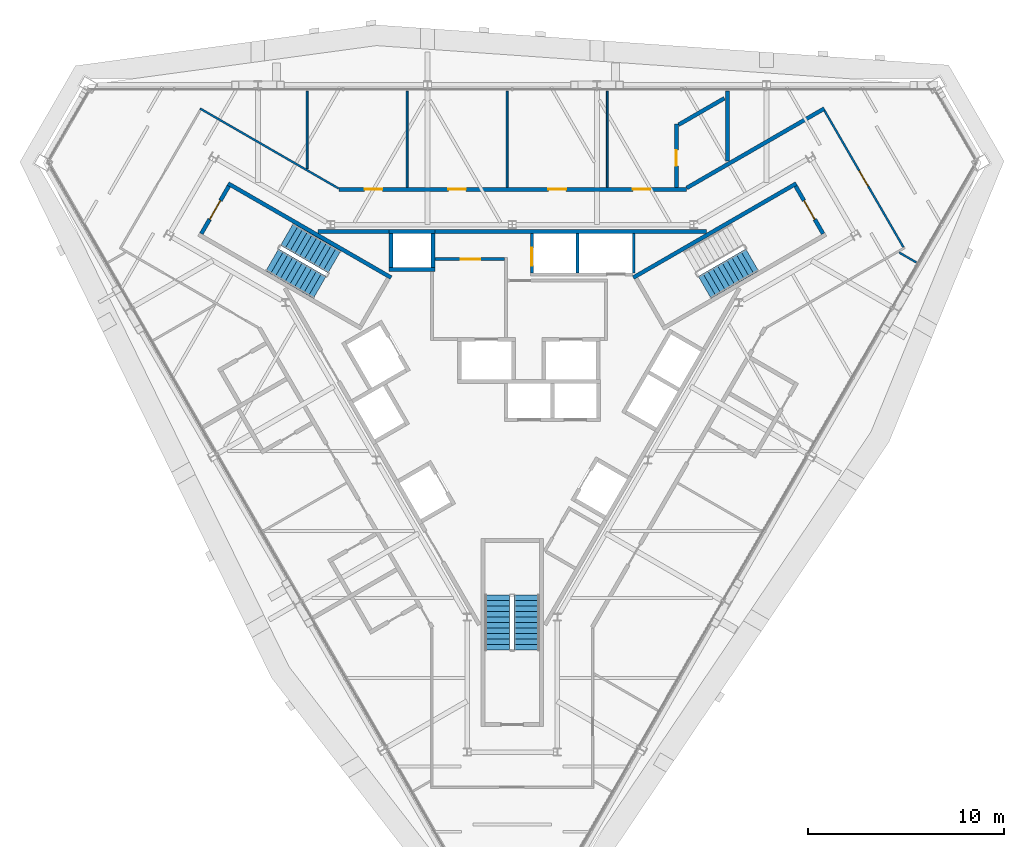
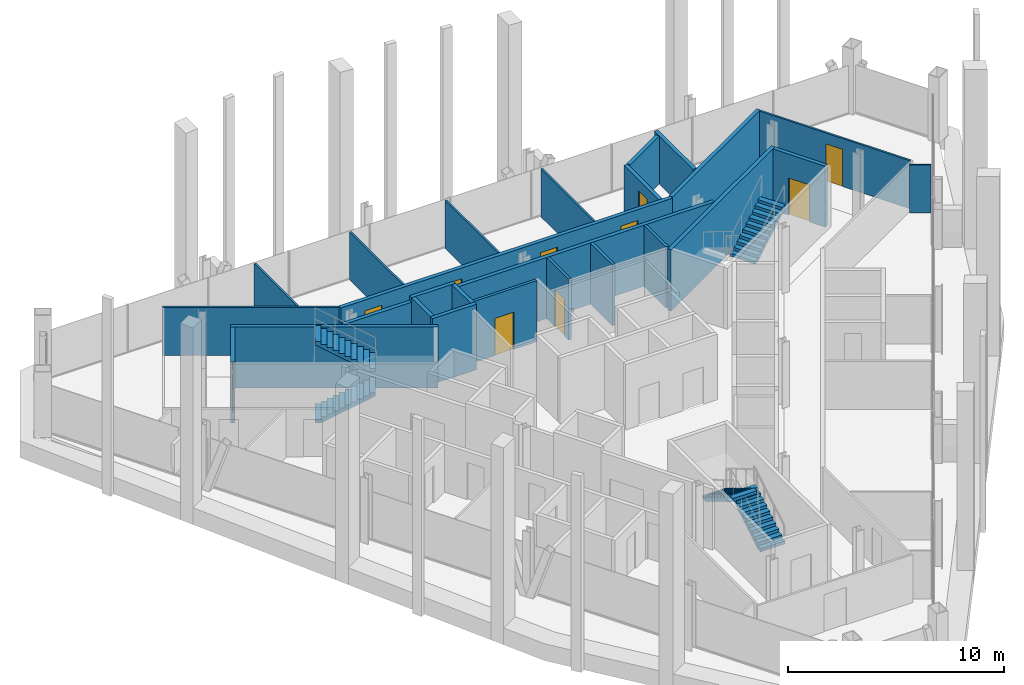
# One storey, part 11 of 14: 26 walls, 10 doors, 5 stair flights, 10 openings, 3 elements without a shape of their own.
"""IFC4 building model written with IfcOpenShell, lengths in metres."""

from ifc_helpers import new_model, si_unit, direction, frame, frame_2d, origin, place, context, subcontext, project, spatial, polyline, rectangle, outline, extrude, material, layer, layer_set, type_object, element, fill, aggregate, save


model = new_model("IFC4")

# Units and contexts
model_context = context("Model", 3, precision=1e-05, world=origin(), true_north=direction((0.0, 1.0)))
body_context = subcontext(model_context, "Body", "Model", "MODEL_VIEW")
ifc_project = project(units=[si_unit("LENGTHUNIT", "METRE"), si_unit("AREAUNIT", "SQUARE_METRE"), si_unit("VOLUMEUNIT", "CUBIC_METRE"), si_unit("PLANEANGLEUNIT", "RADIAN"), si_unit("MASSUNIT", "GRAM", prefix="KILO")], contexts=[model_context])

# Site, building, storey
site_placement = place(None, origin())
site = spatial("IfcSite", under=ifc_project, at=site_placement, CompositionType="ELEMENT")
building_placement = place(site_placement, origin())
building = spatial("IfcBuilding", under=site, at=building_placement, Name="Verrane Prism Tower", CompositionType="ELEMENT")
storey_placement = place(building_placement, frame((0.0, 0.0, 206.39990234375)))
storey = spatial("IfcBuildingStorey", under=building, at=storey_placement, Name="L51", CompositionType="ELEMENT", Elevation=206.39990234375)

# Walls
ifc_material_1 = material(Name="Gypsum board partition", Category="other")
ifc_layer_1 = layer(ifc_material_1, 0.199951171875)
ifc_layer_set_1 = layer_set([ifc_layer_1], Name="CW-200 core boundary wall 2 h")
wall_type_1 = type_object("IfcWallType", Name="CW-200 core boundary wall 2 h", PredefinedType="PARTITIONING", material=ifc_layer_set_1)
wall_1_placement = place(storey_placement, frame((-9.907958984375, 7.659912109375, 0.0), z_axis=(0.0, 0.0, 1.0), x_axis=(1.0, 0.0, 0.0)))
element("IfcWall", 1, at=wall_1_placement, inside=storey, type_object=wall_type_1, Name="Core boundary wall CW3-002", PredefinedType="PARTITIONING", context=body_context, shape_type="SweptSolid", body=[
    extrude(rectangle(XDim=3.620849609375, YDim=0.199951171875, at=frame_2d((1.810546875, 0.0))), origin(), (0.0, 0.0, 1.0), 3.4501953125),
])
wall_2_placement = place(storey_placement, frame((-3.93310546875, 7.659912109375, 0.0), z_axis=(0.0, 0.0, 1.0), x_axis=(1.0, 0.0, 0.0)))
element("IfcWall", 2, at=wall_2_placement, inside=storey, type_object=wall_type_1, Name="Core boundary wall CW3-005", PredefinedType="PARTITIONING", context=body_context, shape_type="SweptSolid", body=[
    extrude(rectangle(XDim=13.841064453125, YDim=0.199951171875, at=frame_2d((6.92041015625, 0.0))), origin(), (0.0, 0.0, 1.0), 3.4501953125),
])

# Wall, opening, door
ifc_material_2 = material(Name="Concrete C40/50", Category="concrete")
ifc_layer_2 = layer(ifc_material_2, 0.199951171875)
ifc_layer_set_2 = layer_set([ifc_layer_2], Name="CW-200 stair core wall concrete C40/50 3 h")
wall_type_2 = type_object("IfcWallType", Name="CW-200 stair core wall concrete C40/50 3 h", PredefinedType="PARTITIONING", material=ifc_layer_set_2)
wall_3_placement = place(storey_placement, frame((15.85546875, 7.53759765625, 0.0), z_axis=(0.0, 0.0, 1.0), x_axis=(-0.500049511043, 0.865996816683, 0.0)))
wall_3 = element("IfcWall", 3, at=wall_3_placement, inside=storey, type_object=wall_type_2, Name="Stair 1 enclosure wall", PredefinedType="PARTITIONING", context=body_context, shape_type="SweptSolid", body=[
    extrude(rectangle(XDim=2.800048828125, YDim=0.199951171875, at=frame_2d((1.39990234375, 0.0))), origin(), (0.0, 0.0, 1.0), 3.4501953125),
])
opening_1_placement = place(wall_3_placement, frame((0.849853515625, 0.0, 0.0)))
opening_1 = element("IfcOpeningElement", 4, at=opening_1_placement, cuts=wall_3, Name="Opening D51500", PredefinedType="OPENING", context=body_context, shape_type="SweptSolid", body=[
    extrude(rectangle(XDim=1.10009765625, YDim=2.10009765625, at=frame_2d((0.550048828125, 1.050048828125))), frame((0.0, 0.10986328125, 0.0), z_axis=(0.0, -1.0, 0.0), x_axis=(1.0, 0.0, 0.0)), (0.0, 0.0, 1.0), 0.219970703125),
])
ifc_material_3 = material(Name="Timber veneered door leaf", Category="wood")
door_type_1 = type_object("IfcDoorType", Name="DR-1100x2100 FD90 single leaf stair", OperationType="NOTDEFINED", PredefinedType="DOOR", material=ifc_material_3)
door_1_placement = place(opening_1_placement, origin())
door_1 = element("IfcDoor", 5, at=door_1_placement, inside=storey, type_object=door_type_1, Name="Stair 1 door", OperationType="SINGLE_SWING_LEFT", OverallHeight=2.10009765625, OverallWidth=1.10009765625, PredefinedType="DOOR", context=body_context, shape_type="SweptSolid", body=[
    extrude(rectangle(XDim=1.10009765625, YDim=2.10009765625, at=frame_2d((0.550048828125, 1.050048828125))), frame((0.0, 0.02490234375, 0.0), z_axis=(0.0, -1.0, 0.0), x_axis=(1.0, 0.0, 0.0)), (0.0, 0.0, 1.0), 0.050048828125),
])
fill(opening_1, door_1)

# Wall
wall_4_placement = place(storey_placement, frame((6.17822265625, 5.299072265625, 0.0), z_axis=(0.0, 0.0, 1.0), x_axis=(0.866019993635, 0.500009370536, 0.0)))
element("IfcWall", 6, at=wall_4_placement, inside=storey, type_object=wall_type_2, Name="Stair 1 enclosure wall", PredefinedType="PARTITIONING", context=body_context, shape_type="SweptSolid", body=[
    extrude(rectangle(XDim=9.599853515625, YDim=0.199951171875, at=frame_2d((4.7998046875, 0.0))), origin(), (0.0, 0.0, 1.0), 3.4501953125),
])

# Wall, opening, door
wall_5_placement = place(storey_placement, frame((-14.455322265625, 9.96240234375, 0.0), z_axis=(0.0, 0.0, 1.0), x_axis=(-0.500049511043, -0.865996816683, 0.0)))
wall_5 = element("IfcWall", 7, at=wall_5_placement, inside=storey, type_object=wall_type_2, Name="Stair 2 enclosure wall", PredefinedType="PARTITIONING", context=body_context, shape_type="SweptSolid", body=[
    extrude(rectangle(XDim=2.800048828125, YDim=0.199951171875, at=frame_2d((1.39990234375, 0.0))), origin(), (0.0, 0.0, 1.0), 3.4501953125),
])
opening_2_placement = place(wall_5_placement, frame((0.849853515625, 0.0, 0.0)))
opening_2 = element("IfcOpeningElement", 8, at=opening_2_placement, cuts=wall_5, Name="Opening D51501", PredefinedType="OPENING", context=body_context, shape_type="SweptSolid", body=[
    extrude(rectangle(XDim=1.10009765625, YDim=2.10009765625, at=frame_2d((0.550048828125, 1.050048828125))), frame((0.0, 0.10986328125, 0.0), z_axis=(0.0, -1.0, 0.0), x_axis=(1.0, 0.0, 0.0)), (0.0, 0.0, 1.0), 0.219970703125),
])
door_2_placement = place(opening_2_placement, origin())
door_2 = element("IfcDoor", 9, at=door_2_placement, inside=storey, type_object=door_type_1, Name="Stair 2 door", OperationType="SINGLE_SWING_RIGHT", OverallHeight=2.10009765625, OverallWidth=1.10009765625, PredefinedType="DOOR", context=body_context, shape_type="SweptSolid", body=[
    extrude(rectangle(XDim=1.10009765625, YDim=2.10009765625, at=frame_2d((0.550048828125, 1.050048828125))), frame((0.0, 0.02490234375, 0.0), z_axis=(0.0, -1.0, 0.0), x_axis=(1.0, 0.0, 0.0)), (0.0, 0.0, 1.0), 0.050048828125),
])
fill(opening_2, door_2)

# Walls
wall_6_placement = place(storey_placement, frame((-6.17822265625, 5.299072265625, 0.0), z_axis=(0.0, 0.0, 1.0), x_axis=(-0.866019993635, 0.500009370536, 0.0)))
element("IfcWall", 10, at=wall_6_placement, inside=storey, type_object=wall_type_2, Name="Stair 2 enclosure wall", PredefinedType="PARTITIONING", context=body_context, shape_type="SweptSolid", body=[
    extrude(rectangle(XDim=9.599853515625, YDim=0.199951171875, at=frame_2d((4.7998046875, 0.0))), origin(), (0.0, 0.0, 1.0), 3.4501953125),
])
ifc_material_4 = material(Name="Gypsum board shaft wall assembly", Category="other")
ifc_layer_3 = layer(ifc_material_4, 0.199951171875)
ifc_layer_set_3 = layer_set([ifc_layer_3], Name="HW-200 lift shaft wall 2 h")
wall_type_3 = type_object("IfcWallType", Name="HW-200 lift shaft wall 2 h", PredefinedType="PARTITIONING", material=ifc_layer_set_3)
for number, where, z_axis, x_axis, name in (
    (11, (-6.284912109375, 5.7099609375, 0.0), (0.0, 0.0, 1.0), (1.0, 0.0, 0.0), "Lift shaft wall"),
    (12, (-6.284912109375, 7.659912109375, 0.0), (0.0, 0.0, 1.0), (1.0, 0.0, 0.0), "Lift shaft wall"),
):
    element("IfcWall", number, at=place(storey_placement, frame(where, z_axis=z_axis, x_axis=x_axis)), inside=storey, type_object=wall_type_3, Name=name, PredefinedType="PARTITIONING", context=body_context, shape_type="SweptSolid", body=[
        extrude(rectangle(XDim=2.349853515625, YDim=0.199951171875, at=frame_2d((1.1748046875, 0.0))), origin(), (0.0, 0.0, 1.0), 3.7001953125),
    ])
for number, where, z_axis, x_axis, name in (
    (13, (-4.034912109375, 5.81005859375, 0.0), (0.0, 0.0, 1.0), (0.0, 1.0, 0.0), "Lift shaft wall"),
    (14, (-6.18505859375, 5.81005859375, 0.0), (0.0, 0.0, 1.0), (0.0, 1.0, 0.0), "Lift shaft wall"),
):
    element("IfcWall", number, at=place(storey_placement, frame(where, z_axis=z_axis, x_axis=x_axis)), inside=storey, type_object=wall_type_3, Name=name, PredefinedType="PARTITIONING", context=body_context, shape_type="SweptSolid", body=[
        extrude(rectangle(XDim=1.75, YDim=0.199951171875, at=frame_2d((0.875, 0.0))), origin(), (0.0, 0.0, 1.0), 3.7001953125),
    ])

# Wall, opening, door
ifc_material_5 = material(Name="Gypsum board partition", Category="other")
ifc_layer_4 = layer(ifc_material_5, 0.14990234375)
ifc_layer_set_4 = layer_set([ifc_layer_4], Name="LF-150 firefighting lobby wall 1 h")
wall_type_4 = type_object("IfcWallType", Name="LF-150 firefighting lobby wall 1 h", PredefinedType="PARTITIONING", material=ifc_layer_set_4)
wall_7_placement = place(storey_placement, frame((-3.93310546875, 6.239990234375, 0.0), z_axis=(0.0, 0.0, 1.0), x_axis=(1.0, 0.0, 0.0)))
wall_7 = element("IfcWall", 15, at=wall_7_placement, inside=storey, type_object=wall_type_4, Name="Firefighting lobby wall LF1-003", PredefinedType="PARTITIONING", context=body_context, shape_type="SweptSolid", body=[
    extrude(rectangle(XDim=3.5380859375, YDim=0.14990234375, at=frame_2d((1.76904296875, 0.0))), origin(), (0.0, 0.0, 1.0), 3.4501953125),
])
opening_3_placement = place(wall_7_placement, frame((1.300048828125, 0.0, 0.0)))
opening_3 = element("IfcOpeningElement", 16, at=opening_3_placement, cuts=wall_7, Name="Opening D51512", PredefinedType="OPENING", context=body_context, shape_type="SweptSolid", body=[
    extrude(rectangle(XDim=1.0, YDim=2.10009765625, at=frame_2d((0.5, 1.050048828125))), frame((0.0, 0.0849609375, 0.0), z_axis=(0.0, -1.0, 0.0), x_axis=(1.0, 0.0, 0.0)), (0.0, 0.0, 1.0), 0.169921875),
])
ifc_material_6 = material(Name="Timber veneered door leaf", Category="wood")
door_type_2 = type_object("IfcDoorType", Name="DR-1000x2100 FD60 single leaf firefighting lobby", OperationType="NOTDEFINED", PredefinedType="DOOR", material=ifc_material_6)
door_3_placement = place(opening_3_placement, origin())
door_3 = element("IfcDoor", 17, at=door_3_placement, inside=storey, type_object=door_type_2, Name="Firefighting lobby door D51512", OperationType="SINGLE_SWING_LEFT", OverallHeight=2.10009765625, OverallWidth=1.0, PredefinedType="DOOR", context=body_context, shape_type="SweptSolid", body=[
    extrude(rectangle(XDim=1.0, YDim=2.10009765625, at=frame_2d((0.5, 1.050048828125))), frame((0.0, 0.02490234375, 0.0), z_axis=(0.0, -1.0, 0.0), x_axis=(1.0, 0.0, 0.0)), (0.0, 0.0, 1.0), 0.050048828125),
])
fill(opening_3, door_3)

# Walls
ifc_material_7 = material(Name="Gypsum board partition", Category="other")
ifc_layer_5 = layer(ifc_material_7, 0.10009765625)
ifc_layer_set_5 = layer_set([ifc_layer_5], Name="PW-100 room partition")
wall_type_5 = type_object("IfcWallType", Name="PW-100 room partition", PredefinedType="PARTITIONING", material=ifc_layer_set_5)
wall_8_placement = place(storey_placement, frame((-15.92138671875, 13.923095703125, 0.0), z_axis=(0.0, 0.0, 1.0), x_axis=(0.866088973199, -0.499889878377, 0.0)))
element("IfcWall", 18, at=wall_8_placement, inside=storey, type_object=wall_type_5, Name="Room partition 005", PredefinedType="PARTITIONING", context=body_context, shape_type="SweptSolid", body=[
    extrude(rectangle(XDim=8.162841796875, YDim=0.10009765625, at=frame_2d((4.08154296875, 0.0))), origin(), (0.0, 0.0, 1.0), 2.713134765625),
])
wall_9_placement = place(storey_placement, frame((-10.4609375, 10.858642578125, 0.0), z_axis=(0.0, 0.0, 1.0), x_axis=(0.0, 1.0, 0.0)))
element("IfcWall", 19, at=wall_9_placement, inside=storey, type_object=wall_type_5, Name="Room partition 013", PredefinedType="PARTITIONING", context=body_context, shape_type="SweptSolid", body=[
    extrude(rectangle(XDim=3.947265625, YDim=0.10009765625, at=frame_2d((1.9736328125, 0.0))), origin(), (0.0, 0.0, 1.0), 2.713134765625),
])
for number, where, z_axis, x_axis, name in (
    (20, (-5.35791015625, 9.89990234375, 0.0), (0.0, 0.0, 1.0), (0.0, 1.0, 0.0), "Room partition 020"),
    (21, (-0.2548828125, 9.89990234375, 0.0), (0.0, 0.0, 1.0), (0.0, 1.0, 0.0), "Room partition 024"),
    (22, (4.847900390625, 9.89990234375, 0.0), (0.0, 0.0, 1.0), (0.0, 1.0, 0.0), "Room partition 029"),
):
    element("IfcWall", number, at=place(storey_placement, frame(where, z_axis=z_axis, x_axis=x_axis)), inside=storey, type_object=wall_type_5, Name=name, PredefinedType="PARTITIONING", context=body_context, shape_type="SweptSolid", body=[
        extrude(rectangle(XDim=4.906005859375, YDim=0.10009765625, at=frame_2d((2.453125, 0.0))), origin(), (0.0, 0.0, 1.0), 2.713134765625),
    ])

# Wall, opening, door
wall_10_placement = place(storey_placement, frame((15.927978515625, 13.8115234375, 0.0), z_axis=(0.0, 0.0, 1.0), x_axis=(0.500422653123, -0.865781247337, 0.0)))
wall_10 = element("IfcWall", 23, at=wall_10_placement, inside=storey, type_object=wall_type_5, Name="Room partition 041", PredefinedType="PARTITIONING", context=body_context, shape_type="SweptSolid", body=[
    extrude(rectangle(XDim=8.04736328125, YDim=0.10009765625, at=frame_2d((4.023681640625, 0.0))), origin(), (0.0, 0.0, 1.0), 2.713134765625),
])
opening_4_placement = place(wall_10_placement, frame((3.550048828125, 0.0, 0.0)))
opening_4 = element("IfcOpeningElement", 24, at=opening_4_placement, cuts=wall_10, Name="Opening D51007", PredefinedType="OPENING", context=body_context, shape_type="SweptSolid", body=[
    extrude(rectangle(XDim=0.89990234375, YDim=2.10009765625, at=frame_2d((0.449951171875, 1.050048828125))), frame((0.0, 0.06005859375, 0.0), z_axis=(0.0, -1.0, 0.0), x_axis=(1.0, 0.0, 0.0)), (0.0, 0.0, 1.0), 0.1201171875),
])
ifc_material_8 = material(Name="Timber veneered door leaf", Category="wood")
door_type_3 = type_object("IfcDoorType", Name="DR-900x2100 single leaf unit", OperationType="NOTDEFINED", PredefinedType="DOOR", material=ifc_material_8)
door_4_placement = place(opening_4_placement, origin())
door_4 = element("IfcDoor", 25, at=door_4_placement, inside=storey, type_object=door_type_3, Name="Kitchen door", OperationType="SINGLE_SWING_LEFT", OverallHeight=2.10009765625, OverallWidth=0.89990234375, PredefinedType="DOOR", context=body_context, shape_type="SweptSolid", body=[
    extrude(rectangle(XDim=0.89990234375, YDim=2.10009765625, at=frame_2d((0.449951171875, 1.050048828125))), frame((0.0, 0.02490234375, 0.0), z_axis=(0.0, -1.0, 0.0), x_axis=(1.0, 0.0, 0.0)), (0.0, 0.0, 1.0), 0.050048828125),
])
fill(opening_4, door_4)

# Wall
wall_11_placement = place(storey_placement, frame((19.739013671875, 6.57568359375, 0.0), z_axis=(0.0, 0.0, 1.0), x_axis=(0.865855657918, -0.500293893279, 0.0)))
element("IfcWall", 26, at=wall_11_placement, inside=storey, type_object=wall_type_5, Name="Room partition 042", PredefinedType="PARTITIONING", context=body_context, shape_type="SweptSolid", body=[
    extrude(rectangle(XDim=0.99853515625, YDim=0.10009765625, at=frame_2d((0.499267578125, 0.0))), origin(), (0.0, 0.0, 1.0), 2.713134765625),
])

# Wall, openings, doors
ifc_material_9 = material(Name="Gypsum board partition", Category="other")
ifc_layer_6 = layer(ifc_material_9, 0.199951171875)
ifc_layer_set_6 = layer_set([ifc_layer_6], Name="PW-200 plumbing wall")
wall_type_6 = type_object("IfcWallType", Name="PW-200 plumbing wall", PredefinedType="PARTITIONING", material=ifc_layer_set_6)
wall_12_placement = place(storey_placement, frame((-8.827880859375, 9.800048828125, 0.0), z_axis=(0.0, 0.0, 1.0), x_axis=(1.0, 0.0, 0.0)))
wall_12 = element("IfcWall", 27, at=wall_12_placement, inside=storey, type_object=wall_type_6, Name="Plumbing wall 017", PredefinedType="PARTITIONING", context=body_context, shape_type="SweptSolid", body=[
    extrude(rectangle(XDim=17.705810546875, YDim=0.199951171875, at=frame_2d((8.85302734375, 0.0))), origin(), (0.0, 0.0, 1.0), 2.713134765625),
])
opening_5_placement = place(wall_12_placement, frame((14.97607421875, 0.0, 0.0)))
opening_5 = element("IfcOpeningElement", 28, at=opening_5_placement, cuts=wall_12, Name="Opening D51008", PredefinedType="OPENING", context=body_context, shape_type="SweptSolid", body=[
    extrude(rectangle(XDim=0.89990234375, YDim=2.10009765625, at=frame_2d((0.449951171875, 1.050048828125))), frame((0.0, 0.10986328125, 0.0), z_axis=(0.0, -1.0, 0.0), x_axis=(1.0, 0.0, 0.0)), (0.0, 0.0, 1.0), 0.219970703125),
])
opening_6_placement = place(wall_12_placement, frame((10.673095703125, 0.0, 0.0)))
opening_6 = element("IfcOpeningElement", 29, at=opening_6_placement, cuts=wall_12, Name="Opening D51010", PredefinedType="OPENING", context=body_context, shape_type="SweptSolid", body=[
    extrude(rectangle(XDim=0.89990234375, YDim=2.10009765625, at=frame_2d((0.449951171875, 1.050048828125))), frame((0.0, 0.10986328125, 0.0), z_axis=(0.0, -1.0, 0.0), x_axis=(1.0, 0.0, 0.0)), (0.0, 0.0, 1.0), 0.219970703125),
])
opening_7_placement = place(wall_12_placement, frame((5.570068359375, 0.0, 0.0)))
opening_7 = element("IfcOpeningElement", 30, at=opening_7_placement, cuts=wall_12, Name="Opening D51011", PredefinedType="OPENING", context=body_context, shape_type="SweptSolid", body=[
    extrude(rectangle(XDim=0.89990234375, YDim=2.10009765625, at=frame_2d((0.449951171875, 1.050048828125))), frame((0.0, 0.10986328125, 0.0), z_axis=(0.0, -1.0, 0.0), x_axis=(1.0, 0.0, 0.0)), (0.0, 0.0, 1.0), 0.219970703125),
])
opening_8_placement = place(wall_12_placement, frame((1.300048828125, 0.0, 0.0)))
opening_8 = element("IfcOpeningElement", 31, at=opening_8_placement, cuts=wall_12, Name="Opening D51012", PredefinedType="OPENING", context=body_context, shape_type="SweptSolid", body=[
    extrude(rectangle(XDim=0.89990234375, YDim=2.10009765625, at=frame_2d((0.449951171875, 1.050048828125))), frame((0.0, 0.10986328125, 0.0), z_axis=(0.0, -1.0, 0.0), x_axis=(1.0, 0.0, 0.0)), (0.0, 0.0, 1.0), 0.219970703125),
])
ifc_material_10 = material(Name="Timber veneered door leaf", Category="wood")
door_type_4 = type_object("IfcDoorType", Name="DR-900x2100 single leaf inner", OperationType="NOTDEFINED", PredefinedType="DOOR", material=ifc_material_10)
door_5_placement = place(opening_5_placement, origin())
door_5 = element("IfcDoor", 32, at=door_5_placement, inside=storey, type_object=door_type_4, Name="Master Bedroom door", OperationType="SINGLE_SWING_RIGHT", OverallHeight=2.10009765625, OverallWidth=0.89990234375, PredefinedType="DOOR", context=body_context, shape_type="SweptSolid", body=[
    extrude(rectangle(XDim=0.89990234375, YDim=2.10009765625, at=frame_2d((0.449951171875, 1.050048828125))), frame((0.0, 0.02490234375, 0.0), z_axis=(0.0, -1.0, 0.0), x_axis=(1.0, 0.0, 0.0)), (0.0, 0.0, 1.0), 0.050048828125),
])
fill(opening_5, door_5)
door_6_placement = place(opening_6_placement, origin())
door_6 = element("IfcDoor", 33, at=door_6_placement, inside=storey, type_object=door_type_3, Name="Study door", OperationType="SINGLE_SWING_RIGHT", OverallHeight=2.10009765625, OverallWidth=0.89990234375, PredefinedType="DOOR", context=body_context, shape_type="SweptSolid", body=[
    extrude(rectangle(XDim=0.89990234375, YDim=2.10009765625, at=frame_2d((0.449951171875, 1.050048828125))), frame((0.0, 0.02490234375, 0.0), z_axis=(0.0, -1.0, 0.0), x_axis=(1.0, 0.0, 0.0)), (0.0, 0.0, 1.0), 0.050048828125),
])
fill(opening_6, door_6)
door_7_placement = place(opening_7_placement, origin())
door_7 = element("IfcDoor", 34, at=door_7_placement, inside=storey, type_object=door_type_3, Name="Study door", OperationType="SINGLE_SWING_LEFT", OverallHeight=2.10009765625, OverallWidth=0.89990234375, PredefinedType="DOOR", context=body_context, shape_type="SweptSolid", body=[
    extrude(rectangle(XDim=0.89990234375, YDim=2.10009765625, at=frame_2d((0.449951171875, 1.050048828125))), frame((0.0, 0.02490234375, 0.0), z_axis=(0.0, -1.0, 0.0), x_axis=(1.0, 0.0, 0.0)), (0.0, 0.0, 1.0), 0.050048828125),
])
fill(opening_7, door_7)
door_8_placement = place(opening_8_placement, origin())
door_8 = element("IfcDoor", 35, at=door_8_placement, inside=storey, type_object=door_type_3, Name="Study door", OperationType="SINGLE_SWING_RIGHT", OverallHeight=2.10009765625, OverallWidth=0.89990234375, PredefinedType="DOOR", context=body_context, shape_type="SweptSolid", body=[
    extrude(rectangle(XDim=0.89990234375, YDim=2.10009765625, at=frame_2d((0.449951171875, 1.050048828125))), frame((0.0, 0.02490234375, 0.0), z_axis=(0.0, -1.0, 0.0), x_axis=(1.0, 0.0, 0.0)), (0.0, 0.0, 1.0), 0.050048828125),
])
fill(opening_8, door_8)

# Wall, opening, door
wall_13_placement = place(storey_placement, frame((8.37109375, 13.12890625, 0.0), z_axis=(0.0, 0.0, 1.0), x_axis=(0.0, -1.0, 0.0)))
wall_13 = element("IfcWall", 36, at=wall_13_placement, inside=storey, type_object=wall_type_6, Name="Plumbing wall 031", PredefinedType="PARTITIONING", context=body_context, shape_type="SweptSolid", body=[
    extrude(rectangle(XDim=3.22900390625, YDim=0.199951171875, at=frame_2d((1.614501953125, 0.0))), origin(), (0.0, 0.0, 1.0), 2.713134765625),
])
opening_9_placement = place(wall_13_placement, frame((1.3291015625, 0.0, 0.0)))
opening_9 = element("IfcOpeningElement", 37, at=opening_9_placement, cuts=wall_13, Name="Opening D51009", PredefinedType="OPENING", context=body_context, shape_type="SweptSolid", body=[
    extrude(rectangle(XDim=0.800048828125, YDim=2.10009765625, at=frame_2d((0.39990234375, 1.050048828125))), frame((0.0, 0.10986328125, 0.0), z_axis=(0.0, -1.0, 0.0), x_axis=(1.0, 0.0, 0.0)), (0.0, 0.0, 1.0), 0.219970703125),
])
ifc_material_11 = material(Name="Timber veneered door leaf", Category="wood")
door_type_5 = type_object("IfcDoorType", Name="DR-800x2100 single leaf bath", OperationType="NOTDEFINED", PredefinedType="DOOR", material=ifc_material_11)
door_9_placement = place(opening_9_placement, origin())
door_9 = element("IfcDoor", 38, at=door_9_placement, inside=storey, type_object=door_type_5, Name="Master Bathroom door", OperationType="SINGLE_SWING_RIGHT", OverallHeight=2.10009765625, OverallWidth=0.800048828125, PredefinedType="DOOR", context=body_context, shape_type="SweptSolid", body=[
    extrude(rectangle(XDim=0.800048828125, YDim=2.10009765625, at=frame_2d((0.39990234375, 1.050048828125))), frame((0.0, 0.02490234375, 0.0), z_axis=(0.0, -1.0, 0.0), x_axis=(1.0, 0.0, 0.0)), (0.0, 0.0, 1.0), 0.050048828125),
])
fill(opening_9, door_9)

# Walls
wall_14_placement = place(storey_placement, frame((8.488037109375, 13.096435546875, 0.0), z_axis=(0.0, 0.0, 1.0), x_axis=(0.866031650062, 0.499989180974, 0.0)))
element("IfcWall", 39, at=wall_14_placement, inside=storey, type_object=wall_type_6, Name="Plumbing wall 032", PredefinedType="PARTITIONING", context=body_context, shape_type="SweptSolid", body=[
    extrude(rectangle(XDim=2.69384765625, YDim=0.199951171875, at=frame_2d((1.346923828125, 0.0))), origin(), (0.0, 0.0, 1.0), 2.713134765625),
])
wall_15_placement = place(storey_placement, frame((8.89501953125, 9.867431640625, 0.0), z_axis=(0.0, 0.0, 1.0), x_axis=(0.866079355551, 0.499906541154, 0.0)))
element("IfcWall", 40, at=wall_15_placement, inside=storey, type_object=wall_type_6, Name="Plumbing wall 033", PredefinedType="PARTITIONING", context=body_context, shape_type="SweptSolid", body=[
    extrude(rectangle(XDim=8.11279296875, YDim=0.199951171875, at=frame_2d((4.056396484375, 0.0))), origin(), (0.0, 0.0, 1.0), 2.713134765625),
])
wall_16_placement = place(storey_placement, frame((10.970947265625, 11.2392578125, 0.0), z_axis=(0.0, 0.0, 1.0), x_axis=(0.0, 1.0, 0.0)))
element("IfcWall", 41, at=wall_16_placement, inside=storey, type_object=wall_type_6, Name="Plumbing wall 035", PredefinedType="PARTITIONING", context=body_context, shape_type="SweptSolid", body=[
    extrude(rectangle(XDim=3.566650390625, YDim=0.199951171875, at=frame_2d((1.783203125, 0.0))), origin(), (0.0, 0.0, 1.0), 2.713134765625),
])

# Wall, opening, door
ifc_material_12 = material(Name="Gypsum board partition", Category="other")
ifc_layer_7 = layer(ifc_material_12, 0.14990234375)
ifc_layer_set_7 = layer_set([ifc_layer_7], Name="RS-150 riser enclosure wall 1 h")
wall_type_7 = type_object("IfcWallType", Name="RS-150 riser enclosure wall 1 h", PredefinedType="PARTITIONING", material=ifc_layer_set_7)
wall_17_placement = place(storey_placement, frame((1.0, 7.56005859375, 0.0), z_axis=(0.0, 0.0, 1.0), x_axis=(0.0, -1.0, 0.0)))
wall_17 = element("IfcWall", 42, at=wall_17_placement, inside=storey, type_object=wall_type_7, Name="Riser wall RS3-001", PredefinedType="PARTITIONING", context=body_context, shape_type="SweptSolid", body=[
    extrude(rectangle(XDim=2.025146484375, YDim=0.14990234375, at=frame_2d((1.0126953125, 0.0))), origin(), (0.0, 0.0, 1.0), 3.4501953125),
])
opening_10_placement = place(wall_17_placement, frame((0.75, 0.0, 0.0)))
opening_10 = element("IfcOpeningElement", 43, at=opening_10_placement, cuts=wall_17, Name="Opening D51514", PredefinedType="OPENING", context=body_context, shape_type="SweptSolid", body=[
    extrude(rectangle(XDim=0.89990234375, YDim=2.10009765625, at=frame_2d((0.449951171875, 1.050048828125))), frame((0.0, 0.0849609375, 0.0), z_axis=(0.0, -1.0, 0.0), x_axis=(1.0, 0.0, 0.0)), (0.0, 0.0, 1.0), 0.169921875),
])
ifc_material_13 = material(Name="Timber veneered door leaf", Category="wood")
door_type_6 = type_object("IfcDoorType", Name="DR-900x2100 FD60 single leaf riser", OperationType="NOTDEFINED", PredefinedType="DOOR", material=ifc_material_13)
door_10_placement = place(opening_10_placement, origin())
door_10 = element("IfcDoor", 44, at=door_10_placement, inside=storey, type_object=door_type_6, Name="Riser door D51514", OperationType="SINGLE_SWING_RIGHT", OverallHeight=2.10009765625, OverallWidth=0.89990234375, PredefinedType="DOOR", context=body_context, shape_type="SweptSolid", body=[
    extrude(rectangle(XDim=0.89990234375, YDim=2.10009765625, at=frame_2d((0.449951171875, 1.050048828125))), frame((0.0, 0.02490234375, 0.0), z_axis=(0.0, -1.0, 0.0), x_axis=(1.0, 0.0, 0.0)), (0.0, 0.0, 1.0), 0.050048828125),
])
fill(opening_10, door_10)

# Walls
for number, where, z_axis, x_axis, name in (
    (45, (3.340087890625, 5.534912109375, 0.0), (0.0, 0.0, 1.0), (0.0, 1.0, 0.0), "Riser wall RS3-006"),
    (46, (6.199951171875, 5.534912109375, 0.0), (0.0, 0.0, 1.0), (0.0, 1.0, 0.0), "Riser wall RS3-007"),
):
    element("IfcWall", number, at=place(storey_placement, frame(where, z_axis=z_axis, x_axis=x_axis)), inside=storey, type_object=wall_type_7, Name=name, PredefinedType="PARTITIONING", context=body_context, shape_type="SweptSolid", body=[
        extrude(rectangle(XDim=2.025146484375, YDim=0.14990234375, at=frame_2d((1.0126953125, 0.0))), origin(), (0.0, 0.0, 1.0), 3.4501953125),
    ])

# Stair, stair flight
ifc_material_14 = material(Name="Concrete C40/50", Category="concrete")
stair_type = type_object("IfcStairType", Name="Exit stair 1300 dog-leg precast concrete C40/50", PredefinedType="HALF_TURN_STAIR", material=ifc_material_14)
stair_1_placement = place(storey_placement, origin())
stair_1 = element("IfcStair", 47, at=stair_1_placement, inside=storey, type_object=stair_type, Name="Stair 1 L51", PredefinedType="HALF_TURN_STAIR")
ifc_material_15 = material(Name="Concrete C40/50", Category="concrete")
stair_flight_type = type_object("IfcStairFlightType", Name="Stair flight 1300 precast concrete C40/50", PredefinedType="STRAIGHT", material=ifc_material_15)
stair_flight_1_placement = place(storey_placement, frame((9.814697265625, 4.800537109375, 1.85009765625), z_axis=(0.0, 0.0, 1.0), x_axis=(0.866025403784, 0.5, 0.0)))
stair_flight_1 = element("IfcStairFlight", 48, at=stair_flight_1_placement, type_object=stair_flight_type, Name="Stair 1 flight 2", NumberOfRisers=11, NumberOfTreads=10, PredefinedType="STRAIGHT", RiserHeight=0.168181818, TreadLength=0.28, context=body_context, shape_type="SweptSolid", body=[
    extrude(outline(polyline([(0.0, 0.0), (0.0, 0.168212890625), (0.280029296875, 0.168212890625), (0.280029296875, 0.33642578125), (0.56005859375, 0.33642578125), (0.56005859375, 0.504638671875), (0.840087890625, 0.504638671875), (0.840087890625, 0.672607421875), (1.1201171875, 0.672607421875), (1.1201171875, 0.8408203125), (1.39990234375, 0.8408203125), (1.39990234375, 1.009033203125), (1.679931640625, 1.009033203125), (1.679931640625, 1.17724609375), (1.9599609375, 1.17724609375), (1.9599609375, 1.345458984375), (2.239990234375, 1.345458984375), (2.239990234375, 1.513671875), (2.52001953125, 1.513671875), (2.52001953125, 1.681884765625), (2.800048828125, 1.681884765625), (2.800048828125, 1.85009765625), (2.800048828125, 1.5068359375), (0.291015625, 0.0), (0.0, 0.0)])), frame((0.0, 0.64990234375, 0.0), z_axis=(0.0, -1.0, 0.0), x_axis=(1.0, 0.0, 0.0)), (0.0, 0.0, 1.0), 1.300048828125),
])
aggregate(stair_1, [stair_flight_1])

# Stair, stair flights
stair_2_placement = place(storey_placement, origin())
stair_2 = element("IfcStair", 49, at=stair_2_placement, inside=storey, type_object=stair_type, Name="Stair 2 L51", PredefinedType="HALF_TURN_STAIR")
stair_flight_2_placement = place(storey_placement, frame((-12.239501953125, 6.200439453125, 0.0), z_axis=(0.0, 0.0, 1.0), x_axis=(0.866025403784, -0.5, 0.0)))
stair_flight_2 = element("IfcStairFlight", 50, at=stair_flight_2_placement, type_object=stair_flight_type, Name="Stair 2 flight 1", NumberOfRisers=11, NumberOfTreads=10, PredefinedType="STRAIGHT", RiserHeight=0.168181818, TreadLength=0.28, context=body_context, shape_type="SweptSolid", body=[
    extrude(outline(polyline([(0.0, 0.0), (0.0, 0.168212890625), (0.280029296875, 0.168212890625), (0.280029296875, 0.33642578125), (0.56005859375, 0.33642578125), (0.56005859375, 0.504638671875), (0.840087890625, 0.504638671875), (0.840087890625, 0.672607421875), (1.1201171875, 0.672607421875), (1.1201171875, 0.8408203125), (1.39990234375, 0.8408203125), (1.39990234375, 1.009033203125), (1.679931640625, 1.009033203125), (1.679931640625, 1.17724609375), (1.9599609375, 1.17724609375), (1.9599609375, 1.345458984375), (2.239990234375, 1.345458984375), (2.239990234375, 1.513671875), (2.52001953125, 1.513671875), (2.52001953125, 1.681884765625), (2.800048828125, 1.681884765625), (2.800048828125, 1.85009765625), (2.800048828125, 1.5068359375), (0.291015625, 0.0), (0.0, 0.0)])), frame((0.0, 0.64990234375, 0.0), z_axis=(0.0, -1.0, 0.0), x_axis=(1.0, 0.0, 0.0)), (0.0, 0.0, 1.0), 1.300048828125),
])
stair_flight_3_placement = place(storey_placement, frame((-9.064697265625, 6.099609375, 1.85009765625), z_axis=(0.0, 0.0, 1.0), x_axis=(-0.866025403784, 0.5, 0.0)))
stair_flight_3 = element("IfcStairFlight", 51, at=stair_flight_3_placement, type_object=stair_flight_type, Name="Stair 2 flight 2", NumberOfRisers=11, NumberOfTreads=10, PredefinedType="STRAIGHT", RiserHeight=0.168181818, TreadLength=0.28, context=body_context, shape_type="SweptSolid", body=[
    extrude(outline(polyline([(0.0, 0.0), (0.0, 0.168212890625), (0.280029296875, 0.168212890625), (0.280029296875, 0.33642578125), (0.56005859375, 0.33642578125), (0.56005859375, 0.504638671875), (0.840087890625, 0.504638671875), (0.840087890625, 0.672607421875), (1.1201171875, 0.672607421875), (1.1201171875, 0.8408203125), (1.39990234375, 0.8408203125), (1.39990234375, 1.009033203125), (1.679931640625, 1.009033203125), (1.679931640625, 1.17724609375), (1.9599609375, 1.17724609375), (1.9599609375, 1.345458984375), (2.239990234375, 1.345458984375), (2.239990234375, 1.513671875), (2.52001953125, 1.513671875), (2.52001953125, 1.681884765625), (2.800048828125, 1.681884765625), (2.800048828125, 1.85009765625), (2.800048828125, 1.5068359375), (0.291015625, 0.0), (0.0, 0.0)])), frame((0.0, 0.64990234375, 0.0), z_axis=(0.0, -1.0, 0.0), x_axis=(1.0, 0.0, 0.0)), (0.0, 0.0, 1.0), 1.300048828125),
])
aggregate(stair_2, [stair_flight_2, stair_flight_3])

stair_3_placement = place(storey_placement, origin())
stair_3 = element("IfcStair", 52, at=stair_3_placement, inside=storey, type_object=stair_type, Name="Stair 3 L51", PredefinedType="HALF_TURN_STAIR")
stair_flight_4_placement = place(storey_placement, frame((0.75, -13.699951171875, 0.0), z_axis=(0.0, 0.0, 1.0), x_axis=(0.0, 1.0, 0.0)))
stair_flight_4 = element("IfcStairFlight", 53, at=stair_flight_4_placement, type_object=stair_flight_type, Name="Stair 3 flight 1", NumberOfRisers=11, NumberOfTreads=10, PredefinedType="STRAIGHT", RiserHeight=0.168181818, TreadLength=0.28, context=body_context, shape_type="SweptSolid", body=[
    extrude(outline(polyline([(0.0, 0.0), (0.0, 0.168212890625), (0.280029296875, 0.168212890625), (0.280029296875, 0.33642578125), (0.56005859375, 0.33642578125), (0.56005859375, 0.504638671875), (0.840087890625, 0.504638671875), (0.840087890625, 0.672607421875), (1.1201171875, 0.672607421875), (1.1201171875, 0.8408203125), (1.39990234375, 0.8408203125), (1.39990234375, 1.009033203125), (1.679931640625, 1.009033203125), (1.679931640625, 1.17724609375), (1.9599609375, 1.17724609375), (1.9599609375, 1.345458984375), (2.239990234375, 1.345458984375), (2.239990234375, 1.513671875), (2.52001953125, 1.513671875), (2.52001953125, 1.681884765625), (2.800048828125, 1.681884765625), (2.800048828125, 1.85009765625), (2.800048828125, 1.5068359375), (0.291015625, 0.0), (0.0, 0.0)])), frame((0.0, 0.64990234375, 0.0), z_axis=(0.0, -1.0, 0.0), x_axis=(1.0, 0.0, 0.0)), (0.0, 0.0, 1.0), 1.300048828125),
])
stair_flight_5_placement = place(storey_placement, frame((-0.75, -10.89990234375, 1.85009765625), z_axis=(0.0, 0.0, 1.0), x_axis=(0.0, -1.0, 0.0)))
stair_flight_5 = element("IfcStairFlight", 54, at=stair_flight_5_placement, type_object=stair_flight_type, Name="Stair 3 flight 2", NumberOfRisers=11, NumberOfTreads=10, PredefinedType="STRAIGHT", RiserHeight=0.168181818, TreadLength=0.28, context=body_context, shape_type="SweptSolid", body=[
    extrude(outline(polyline([(0.0, 0.0), (0.0, 0.168212890625), (0.280029296875, 0.168212890625), (0.280029296875, 0.33642578125), (0.56005859375, 0.33642578125), (0.56005859375, 0.504638671875), (0.840087890625, 0.504638671875), (0.840087890625, 0.672607421875), (1.1201171875, 0.672607421875), (1.1201171875, 0.8408203125), (1.39990234375, 0.8408203125), (1.39990234375, 1.009033203125), (1.679931640625, 1.009033203125), (1.679931640625, 1.17724609375), (1.9599609375, 1.17724609375), (1.9599609375, 1.345458984375), (2.239990234375, 1.345458984375), (2.239990234375, 1.513671875), (2.52001953125, 1.513671875), (2.52001953125, 1.681884765625), (2.800048828125, 1.681884765625), (2.800048828125, 1.85009765625), (2.800048828125, 1.5068359375), (0.291015625, 0.0), (0.0, 0.0)])), frame((0.0, 0.64990234375, 0.0), z_axis=(0.0, -1.0, 0.0), x_axis=(1.0, 0.0, 0.0)), (0.0, 0.0, 1.0), 1.300048828125),
])
aggregate(stair_3, [stair_flight_4, stair_flight_5])

save(model, "model.ifc")
